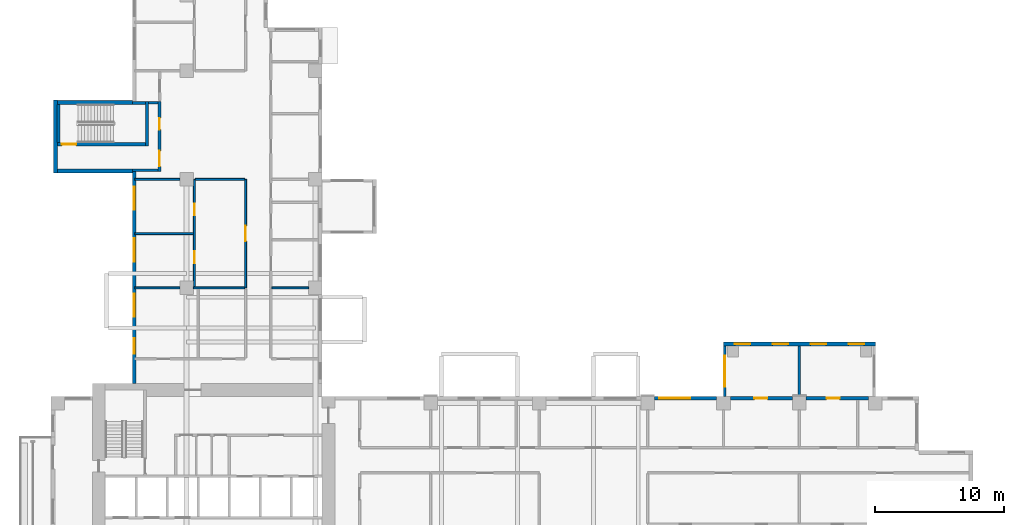
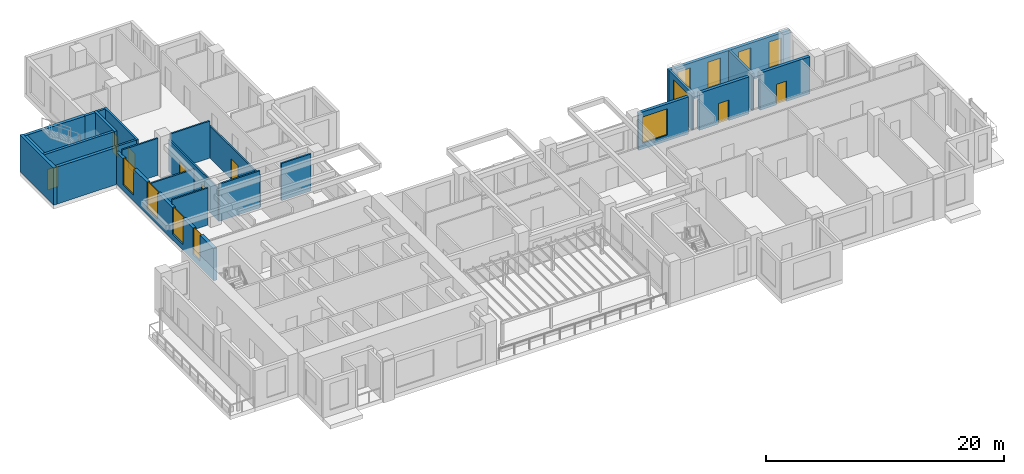
# One storey, part 7 of 15: 25 walls, 10 windows, 8 doors, 18 openings.
"""IFC4 building model written with IfcOpenShell, lengths in metres."""

from ifc_helpers import new_model, si_unit, direction, frame, frame_2d, origin, place, context, subcontext, project, spatial, rectangle, extrude, source, transform, mapped, material, layer, layer_set, type_object, element, fill, save


model = new_model("IFC4")

# Units and contexts
model_context = context("Model", 3, precision=1e-05, world=origin(), true_north=direction((0.0, 1.0)))
body_context = subcontext(model_context, "Body", "Model", "MODEL_VIEW")
ifc_project = project(units=[si_unit("LENGTHUNIT", "METRE"), si_unit("AREAUNIT", "SQUARE_METRE"), si_unit("VOLUMEUNIT", "CUBIC_METRE"), si_unit("PLANEANGLEUNIT", "RADIAN"), si_unit("MASSUNIT", "GRAM", prefix="KILO")], contexts=[model_context])

# Site, building, storey
site_placement = place(None, origin())
site = spatial("IfcSite", under=ifc_project, at=site_placement, CompositionType="ELEMENT")
building_placement = place(site_placement, origin())
building = spatial("IfcBuilding", under=site, at=building_placement, Name="Aurelian Terraces", CompositionType="ELEMENT")
storey_placement = place(building_placement, frame((0.0, 0.0, 145.5)))
storey = spatial("IfcBuildingStorey", under=building, at=storey_placement, Name="L32", CompositionType="ELEMENT", Elevation=145.5)

# Wall, opening, window
ifc_material_1 = material(Name="Concrete fc' 40 MPa", Category="concrete")
ifc_layer_1 = layer(ifc_material_1, 0.2)
ifc_layer_set_1 = layer_set([ifc_layer_1], Name="BOX BEARING WALL 200")
wall_type_1 = type_object("IfcWallType", Name="BOX BEARING WALL 200", PredefinedType="SOLIDWALL", material=ifc_layer_set_1)
shared_shape_1 = source(origin(), body_context, "Body", "SweptSolid", [
    extrude(rectangle(XDim=3.9, YDim=0.2, at=frame_2d((1.95, 0.0))), origin(), (0.0, 0.0, 1.0), 3.8),
])
wall_1_placement = place(storey_placement, frame((52.18, 21.0, 0.0), z_axis=(0.0, 0.0, 1.0), x_axis=(0.0, 1.0, 0.0)))
wall_1 = element("IfcWall", 1, at=wall_1_placement, inside=storey, type_object=wall_type_1, Name="Box return L32 K02.2", PredefinedType="SOLIDWALL", context=body_context, shape_type="MappedRepresentation", body=[
    mapped(shared_shape_1, transform((0.0, 0.0, 0.0), scale=1.0)),
])
shared_shape_2 = source(origin(), body_context, "Body", "SweptSolid", [
    extrude(rectangle(XDim=2.4, YDim=2.7, at=frame_2d((1.2, 1.35))), frame((0.0, 0.11, 0.0), z_axis=(0.0, -1.0, 0.0), x_axis=(1.0, 0.0, 0.0)), (0.0, 0.0, 1.0), 0.22),
])
opening_1_placement = place(wall_1_placement, frame((0.75, 0.0, 0.6)))
opening_1 = element("IfcOpeningElement", 2, at=opening_1_placement, cuts=wall_1, Name="Opening W2427", PredefinedType="OPENING", context=body_context, shape_type="MappedRepresentation", body=[
    mapped(shared_shape_2, transform((0.0, 0.0, 0.0), scale=1.0)),
])
ifc_material_2 = material(Name="Clear glazing", Category="glass")
window_type_1 = type_object("IfcWindowType", Name="W-2400x2700", PartitioningType="SINGLE_PANEL", PredefinedType="WINDOW", material=ifc_material_2)
shared_shape_3 = source(origin(), body_context, "Body", "SweptSolid", [
    extrude(rectangle(XDim=2.4, YDim=2.7, at=frame_2d((1.2, 1.35))), frame((0.0, 0.03, 0.0), z_axis=(0.0, -1.0, 0.0), x_axis=(1.0, 0.0, 0.0)), (0.0, 0.0, 1.0), 0.06),
])
window_1_placement = place(opening_1_placement, origin())
window_1 = element("IfcWindow", 3, at=window_1_placement, inside=storey, type_object=window_type_1, Name="Window L32 K02-S2", OverallHeight=2.7, OverallWidth=2.4, PartitioningType="SINGLE_PANEL", PredefinedType="WINDOW", context=body_context, shape_type="MappedRepresentation", body=[
    mapped(shared_shape_3, transform((0.0, 0.0, 0.0), scale=1.0)),
])
fill(opening_1, window_1)

# Walls
ifc_layer_2 = layer(ifc_material_1, 0.3)
ifc_layer_set_2 = layer_set([ifc_layer_2], Name="STAIR BAY WALL 300")
wall_type_2 = type_object("IfcWallType", Name="STAIR BAY WALL 300", PredefinedType="SOLIDWALL", material=ifc_layer_set_2)
shared_shape_4 = source(origin(), body_context, "Body", "SweptSolid", [
    extrude(rectangle(XDim=6.1, YDim=0.3, at=frame_2d((3.05, 0.0))), origin(), (0.0, 0.0, 1.0), 3.8),
])
for number, where, z_axis, x_axis, name in (
    (4, (6.3, 43.75, 0.0), (0.0, 0.0, 1.0), (-1.0, 0.0, 0.0), "Stair bay wall L32 F17.33"),
    (5, (0.2, 38.45, 0.0), (0.0, 0.0, 1.0), (1.0, 0.0, 0.0), "Stair bay wall L32 F19.35"),
):
    element("IfcWall", number, at=place(storey_placement, frame(where, z_axis=z_axis, x_axis=x_axis)), inside=storey, type_object=wall_type_2, Name=name, PredefinedType="SOLIDWALL", context=body_context, shape_type="MappedRepresentation", body=[
        mapped(shared_shape_4, transform((0.0, 0.0, 0.0), scale=1.0)),
    ])

# Wall, opening, door
ifc_material_3 = material(Name="Terracotta rainscreen cladding", Category="masonry")
ifc_layer_3 = layer(ifc_material_3, 0.3)
ifc_layer_set_3 = layer_set([ifc_layer_3], Name="EW-300")
wall_type_3 = type_object("IfcWallType", Name="EW-300", PredefinedType="STANDARD", material=ifc_layer_set_3)
shared_shape_5 = source(origin(), body_context, "Body", "SweptSolid", [
    extrude(rectangle(XDim=4.83, YDim=0.3, at=frame_2d((2.415, 0.0))), origin(), (0.0, 0.0, 1.0), 3.8),
])
wall_2_placement = place(storey_placement, frame((63.315, 20.85, 0.0), z_axis=(0.0, 0.0, 1.0), x_axis=(-1.0, 0.0, 0.0)))
wall_2 = element("IfcWall", 6, at=wall_2_placement, inside=storey, type_object=wall_type_3, Name="External wall L32 F11.22", PredefinedType="STANDARD", context=body_context, shape_type="MappedRepresentation", body=[
    mapped(shared_shape_5, transform((0.0, 0.0, 0.0), scale=1.0)),
])
shared_shape_6 = source(origin(), body_context, "Body", "SweptSolid", [
    extrude(rectangle(XDim=1.0, YDim=2.1, at=frame_2d((0.5, 1.05))), frame((0.0, 0.16, 0.0), z_axis=(0.0, -1.0, 0.0), x_axis=(1.0, 0.0, 0.0)), (0.0, 0.0, 1.0), 0.32),
])
opening_2_placement = place(wall_2_placement, frame((2.2417, 0.0, 0.0)))
opening_2 = element("IfcOpeningElement", 7, at=opening_2_placement, cuts=wall_2, Name="Opening 832003", PredefinedType="OPENING", context=body_context, shape_type="MappedRepresentation", body=[
    mapped(shared_shape_6, transform((0.0, 0.0, 0.0), scale=1.0)),
])
ifc_material_4 = material(Name="Timber door leaf", Category="wood")
door_type_1 = type_object("IfcDoorType", Name="Room door 1000x2100 left", OperationType="SINGLE_SWING_LEFT", PredefinedType="DOOR", material=ifc_material_4)
shared_shape_7 = source(origin(), body_context, "Body", "SweptSolid", [
    extrude(rectangle(XDim=1.0, YDim=2.1, at=frame_2d((0.5, 1.05))), frame((0.0, 0.025, 0.0), z_axis=(0.0, -1.0, 0.0), x_axis=(1.0, 0.0, 0.0)), (0.0, 0.0, 1.0), 0.05),
])
door_1_placement = place(opening_2_placement, origin())
door_1 = element("IfcDoor", 8, at=door_1_placement, inside=storey, type_object=door_type_1, Name="Door 832003", OperationType="SINGLE_SWING_LEFT", OverallHeight=2.1, OverallWidth=1.0, PredefinedType="DOOR", context=body_context, shape_type="MappedRepresentation", body=[
    mapped(shared_shape_7, transform((0.0, 0.0, 0.0), scale=1.0)),
])
fill(opening_2, door_1)

wall_3_placement = place(storey_placement, frame((57.435, 20.85, 0.0), z_axis=(0.0, 0.0, 1.0), x_axis=(-1.0, 0.0, 0.0)))
wall_3 = element("IfcWall", 9, at=wall_3_placement, inside=storey, type_object=wall_type_3, Name="External wall L32 F11.22", PredefinedType="STANDARD", context=body_context, shape_type="MappedRepresentation", body=[
    mapped(shared_shape_5, transform((0.0, 0.0, 0.0), scale=1.0)),
])
opening_3_placement = place(wall_3_placement, frame((1.9617, 0.0, 0.0)))
opening_3 = element("IfcOpeningElement", 10, at=opening_3_placement, cuts=wall_3, Name="Opening 832004", PredefinedType="OPENING", context=body_context, shape_type="MappedRepresentation", body=[
    mapped(shared_shape_6, transform((0.0, 0.0, 0.0), scale=1.0)),
])
door_2_placement = place(opening_3_placement, origin())
door_2 = element("IfcDoor", 11, at=door_2_placement, inside=storey, type_object=door_type_1, Name="Door 832004", OperationType="SINGLE_SWING_LEFT", OverallHeight=2.1, OverallWidth=1.0, PredefinedType="DOOR", context=body_context, shape_type="MappedRepresentation", body=[
    mapped(shared_shape_7, transform((0.0, 0.0, 0.0), scale=1.0)),
])
fill(opening_3, door_2)

# Wall, opening, window
wall_4_placement = place(storey_placement, frame((51.555, 20.85, 0.0), z_axis=(0.0, 0.0, 1.0), x_axis=(-1.0, 0.0, 0.0)))
wall_4 = element("IfcWall", 12, at=wall_4_placement, inside=storey, type_object=wall_type_3, Name="External wall L32 F11.22", PredefinedType="STANDARD", context=body_context, shape_type="MappedRepresentation", body=[
    mapped(shared_shape_5, transform((0.0, 0.0, 0.0), scale=1.0)),
])
shared_shape_8 = source(origin(), body_context, "Body", "SweptSolid", [
    extrude(rectangle(XDim=2.4, YDim=2.7, at=frame_2d((1.2, 1.35))), frame((0.0, 0.16, 0.0), z_axis=(0.0, -1.0, 0.0), x_axis=(1.0, 0.0, 0.0)), (0.0, 0.0, 1.0), 0.32),
])
opening_4_placement = place(wall_4_placement, frame((2.055, 0.0, 0.6)))
opening_4 = element("IfcOpeningElement", 13, at=opening_4_placement, cuts=wall_4, Name="Opening W2427", PredefinedType="OPENING", context=body_context, shape_type="MappedRepresentation", body=[
    mapped(shared_shape_8, transform((0.0, 0.0, 0.0), scale=1.0)),
])
window_2_placement = place(opening_4_placement, origin())
window_2 = element("IfcWindow", 14, at=window_2_placement, inside=storey, type_object=window_type_1, Name="Window L32 L32-F11-22-4", OverallHeight=2.7, OverallWidth=2.4, PartitioningType="SINGLE_PANEL", PredefinedType="WINDOW", context=body_context, shape_type="MappedRepresentation", body=[
    mapped(shared_shape_3, transform((0.0, 0.0, 0.0), scale=1.0)),
])
fill(opening_4, window_2)

# Wall
shared_shape_9 = source(origin(), body_context, "Body", "SweptSolid", [
    extrude(rectangle(XDim=5.65, YDim=0.3, at=frame_2d((2.825, 0.0))), origin(), (0.0, 0.0, 1.0), 3.8),
])
wall_5_placement = place(storey_placement, frame((0.35, 43.95, 0.0), z_axis=(0.0, 0.0, 1.0), x_axis=(0.0, -1.0, 0.0)))
element("IfcWall", 15, at=wall_5_placement, inside=storey, type_object=wall_type_2, Name="Stair bay wall L32 F18.34", PredefinedType="SOLIDWALL", context=body_context, shape_type="MappedRepresentation", body=[
    mapped(shared_shape_9, transform((0.0, 0.0, 0.0), scale=1.0)),
])

# Wall, openings, windows
ifc_layer_4 = layer(ifc_material_1, 0.3)
ifc_layer_set_4 = layer_set([ifc_layer_4], Name="BOX BEARING WALL 300")
wall_type_4 = type_object("IfcWallType", Name="BOX BEARING WALL 300", PredefinedType="SOLIDWALL", material=ifc_layer_set_4)
shared_shape_10 = source(origin(), body_context, "Body", "SweptSolid", [
    extrude(rectangle(XDim=11.76, YDim=0.3, at=frame_2d((5.88, 0.0))), origin(), (0.0, 0.0, 1.0), 3.8),
])
wall_6_placement = place(storey_placement, frame((63.84, 25.05, 0.0), z_axis=(0.0, 0.0, 1.0), x_axis=(-1.0, 0.0, 0.0)))
wall_6 = element("IfcWall", 16, at=wall_6_placement, inside=storey, type_object=wall_type_4, Name="Box wall L32 K02", PredefinedType="SOLIDWALL", context=body_context, shape_type="MappedRepresentation", body=[
    mapped(shared_shape_10, transform((0.0, 0.0, 0.0), scale=1.0)),
])
shared_shape_11 = source(origin(), body_context, "Body", "SweptSolid", [
    extrude(rectangle(XDim=1.2, YDim=2.7, at=frame_2d((0.6, 1.35))), frame((0.0, 0.16, 0.0), z_axis=(0.0, -1.0, 0.0), x_axis=(1.0, 0.0, 0.0)), (0.0, 0.0, 1.0), 0.32),
])
opening_5_placement = place(wall_6_placement, frame((0.87, 0.0, 0.6)))
opening_5 = element("IfcOpeningElement", 17, at=opening_5_placement, cuts=wall_6, Name="Opening W1227", PredefinedType="OPENING", context=body_context, shape_type="MappedRepresentation", body=[
    mapped(shared_shape_11, transform((0.0, 0.0, 0.0), scale=1.0)),
])
opening_6_placement = place(wall_6_placement, frame((3.81, 0.0, 0.6)))
opening_6 = element("IfcOpeningElement", 18, at=opening_6_placement, cuts=wall_6, Name="Opening W1227", PredefinedType="OPENING", context=body_context, shape_type="MappedRepresentation", body=[
    mapped(shared_shape_11, transform((0.0, 0.0, 0.0), scale=1.0)),
])
opening_7_placement = place(wall_6_placement, frame((6.75, 0.0, 0.6)))
opening_7 = element("IfcOpeningElement", 19, at=opening_7_placement, cuts=wall_6, Name="Opening W1227", PredefinedType="OPENING", context=body_context, shape_type="MappedRepresentation", body=[
    mapped(shared_shape_11, transform((0.0, 0.0, 0.0), scale=1.0)),
])
opening_8_placement = place(wall_6_placement, frame((9.69, 0.0, 0.6)))
opening_8 = element("IfcOpeningElement", 20, at=opening_8_placement, cuts=wall_6, Name="Opening W1227", PredefinedType="OPENING", context=body_context, shape_type="MappedRepresentation", body=[
    mapped(shared_shape_11, transform((0.0, 0.0, 0.0), scale=1.0)),
])
window_type_2 = type_object("IfcWindowType", Name="W-1200x2700", PartitioningType="SINGLE_PANEL", PredefinedType="WINDOW", material=ifc_material_2)
shared_shape_12 = source(origin(), body_context, "Body", "SweptSolid", [
    extrude(rectangle(XDim=1.2, YDim=2.7, at=frame_2d((0.6, 1.35))), frame((0.0, 0.03, 0.0), z_axis=(0.0, -1.0, 0.0), x_axis=(1.0, 0.0, 0.0)), (0.0, 0.0, 1.0), 0.06),
])
window_3_placement = place(opening_5_placement, origin())
window_3 = element("IfcWindow", 21, at=window_3_placement, inside=storey, type_object=window_type_2, Name="Window L32 K02-F1", OverallHeight=2.7, OverallWidth=1.2, PartitioningType="SINGLE_PANEL", PredefinedType="WINDOW", context=body_context, shape_type="MappedRepresentation", body=[
    mapped(shared_shape_12, transform((0.0, 0.0, 0.0), scale=1.0)),
])
fill(opening_5, window_3)
window_4_placement = place(opening_6_placement, origin())
window_4 = element("IfcWindow", 22, at=window_4_placement, inside=storey, type_object=window_type_2, Name="Window L32 K02-F2", OverallHeight=2.7, OverallWidth=1.2, PartitioningType="SINGLE_PANEL", PredefinedType="WINDOW", context=body_context, shape_type="MappedRepresentation", body=[
    mapped(shared_shape_12, transform((0.0, 0.0, 0.0), scale=1.0)),
])
fill(opening_6, window_4)
window_5_placement = place(opening_7_placement, origin())
window_5 = element("IfcWindow", 23, at=window_5_placement, inside=storey, type_object=window_type_2, Name="Window L32 K02-F3", OverallHeight=2.7, OverallWidth=1.2, PartitioningType="SINGLE_PANEL", PredefinedType="WINDOW", context=body_context, shape_type="MappedRepresentation", body=[
    mapped(shared_shape_12, transform((0.0, 0.0, 0.0), scale=1.0)),
])
fill(opening_7, window_5)
window_6_placement = place(opening_8_placement, origin())
window_6 = element("IfcWindow", 24, at=window_6_placement, inside=storey, type_object=window_type_2, Name="Window L32 K02-F4", OverallHeight=2.7, OverallWidth=1.2, PartitioningType="SINGLE_PANEL", PredefinedType="WINDOW", context=body_context, shape_type="MappedRepresentation", body=[
    mapped(shared_shape_12, transform((0.0, 0.0, 0.0), scale=1.0)),
])
fill(opening_8, window_6)

# Wall
shared_shape_13 = source(origin(), body_context, "Body", "SweptSolid", [
    extrude(rectangle(XDim=3.9, YDim=0.2, at=frame_2d((1.95, 0.0))), origin(), (0.0, 0.0, 1.0), 3.8),
])
wall_7_placement = place(storey_placement, frame((57.96, 21.0, 0.0), z_axis=(0.0, 0.0, 1.0), x_axis=(0.0, 1.0, 0.0)))
element("IfcWall", 25, at=wall_7_placement, inside=storey, type_object=wall_type_1, Name="Box partition L32 K02", PredefinedType="SOLIDWALL", context=body_context, shape_type="MappedRepresentation", body=[
    mapped(shared_shape_13, transform((0.0, 0.0, 0.0), scale=1.0)),
])

# Wall, openings, windows
shared_shape_14 = source(origin(), body_context, "Body", "SweptSolid", [
    extrude(rectangle(XDim=16.4, YDim=0.3, at=frame_2d((8.2, 0.0))), origin(), (0.0, 0.0, 1.0), 3.3),
])
wall_8_placement = place(storey_placement, frame((6.45, 38.4, 0.0), z_axis=(0.0, 0.0, 1.0), x_axis=(0.0, -1.0, 0.0)))
wall_8 = element("IfcWall", 26, at=wall_8_placement, inside=storey, type_object=wall_type_3, Name="External wall L32 F20.36", PredefinedType="STANDARD", context=body_context, shape_type="MappedRepresentation", body=[
    mapped(shared_shape_14, transform((0.0, 0.0, 0.0), scale=1.0)),
])
shared_shape_15 = source(origin(), body_context, "Body", "SweptSolid", [
    extrude(rectangle(XDim=1.8, YDim=2.7, at=frame_2d((0.9, 1.35))), frame((0.0, 0.16, 0.0), z_axis=(0.0, -1.0, 0.0), x_axis=(1.0, 0.0, 0.0)), (0.0, 0.0, 1.0), 0.32),
])
opening_9_placement = place(wall_8_placement, frame((1.15, 0.0, 0.6)))
opening_9 = element("IfcOpeningElement", 27, at=opening_9_placement, cuts=wall_8, Name="Opening W1827", PredefinedType="OPENING", context=body_context, shape_type="MappedRepresentation", body=[
    mapped(shared_shape_15, transform((0.0, 0.0, 0.0), scale=1.0)),
])
opening_10_placement = place(wall_8_placement, frame((5.1625, 0.0, 0.6)))
opening_10 = element("IfcOpeningElement", 28, at=opening_10_placement, cuts=wall_8, Name="Opening W1827", PredefinedType="OPENING", context=body_context, shape_type="MappedRepresentation", body=[
    mapped(shared_shape_15, transform((0.0, 0.0, 0.0), scale=1.0)),
])
opening_11_placement = place(wall_8_placement, frame((9.4375, 0.0, 0.6)))
opening_11 = element("IfcOpeningElement", 29, at=opening_11_placement, cuts=wall_8, Name="Opening W1827", PredefinedType="OPENING", context=body_context, shape_type="MappedRepresentation", body=[
    mapped(shared_shape_15, transform((0.0, 0.0, 0.0), scale=1.0)),
])
opening_12_placement = place(wall_8_placement, frame((12.9125, 0.0, 0.6)))
opening_12 = element("IfcOpeningElement", 30, at=opening_12_placement, cuts=wall_8, Name="Opening W1227", PredefinedType="OPENING", context=body_context, shape_type="MappedRepresentation", body=[
    mapped(shared_shape_11, transform((0.0, 0.0, 0.0), scale=1.0)),
])
window_type_3 = type_object("IfcWindowType", Name="W-1800x2700", PartitioningType="SINGLE_PANEL", PredefinedType="WINDOW", material=ifc_material_2)
shared_shape_16 = source(origin(), body_context, "Body", "SweptSolid", [
    extrude(rectangle(XDim=1.8, YDim=2.7, at=frame_2d((0.9, 1.35))), frame((0.0, 0.03, 0.0), z_axis=(0.0, -1.0, 0.0), x_axis=(1.0, 0.0, 0.0)), (0.0, 0.0, 1.0), 0.06),
])
window_7_placement = place(opening_9_placement, origin())
window_7 = element("IfcWindow", 31, at=window_7_placement, inside=storey, type_object=window_type_3, Name="Window L32 L32-F20-36-0", OverallHeight=2.7, OverallWidth=1.8, PartitioningType="SINGLE_PANEL", PredefinedType="WINDOW", context=body_context, shape_type="MappedRepresentation", body=[
    mapped(shared_shape_16, transform((0.0, 0.0, 0.0), scale=1.0)),
])
fill(opening_9, window_7)
window_8_placement = place(opening_10_placement, origin())
window_8 = element("IfcWindow", 32, at=window_8_placement, inside=storey, type_object=window_type_3, Name="Window L32 L32-F20-36-1", OverallHeight=2.7, OverallWidth=1.8, PartitioningType="SINGLE_PANEL", PredefinedType="WINDOW", context=body_context, shape_type="MappedRepresentation", body=[
    mapped(shared_shape_16, transform((0.0, 0.0, 0.0), scale=1.0)),
])
fill(opening_10, window_8)
window_9_placement = place(opening_11_placement, origin())
window_9 = element("IfcWindow", 33, at=window_9_placement, inside=storey, type_object=window_type_3, Name="Window L32 L32-F20-36-2", OverallHeight=2.7, OverallWidth=1.8, PartitioningType="SINGLE_PANEL", PredefinedType="WINDOW", context=body_context, shape_type="MappedRepresentation", body=[
    mapped(shared_shape_16, transform((0.0, 0.0, 0.0), scale=1.0)),
])
fill(opening_11, window_9)
window_10_placement = place(opening_12_placement, origin())
window_10 = element("IfcWindow", 34, at=window_10_placement, inside=storey, type_object=window_type_2, Name="Window L32 L32-F20-36-3", OverallHeight=2.7, OverallWidth=1.2, PartitioningType="SINGLE_PANEL", PredefinedType="WINDOW", context=body_context, shape_type="MappedRepresentation", body=[
    mapped(shared_shape_12, transform((0.0, 0.0, 0.0), scale=1.0)),
])
fill(opening_12, window_10)

# Wall, opening, door
ifc_layer_5 = layer(ifc_material_1, 0.25)
ifc_layer_set_5 = layer_set([ifc_layer_5], Name="Stair enclosure wall 250")
wall_type_5 = type_object("IfcWallType", Name="Stair enclosure wall 250", PredefinedType="SOLIDWALL", material=ifc_layer_set_5)
shared_shape_17 = source(origin(), body_context, "Body", "SweptSolid", [
    extrude(rectangle(XDim=7.0, YDim=0.25, at=frame_2d((3.5, 0.0))), origin(), (0.0, 0.0, 1.0), 3.8),
])
wall_9_placement = place(storey_placement, frame((0.3, 40.525, 0.0), z_axis=(0.0, 0.0, 1.0), x_axis=(1.0, 0.0, 0.0)))
wall_9 = element("IfcWall", 35, at=wall_9_placement, inside=storey, type_object=wall_type_5, Name="L32 core wall ST-S3-W", PredefinedType="SOLIDWALL", context=body_context, shape_type="MappedRepresentation", body=[
    mapped(shared_shape_17, transform((0.0, 0.0, 0.0), scale=1.0)),
])
shared_shape_18 = source(origin(), body_context, "Body", "SweptSolid", [
    extrude(rectangle(XDim=1.1, YDim=2.1, at=frame_2d((0.55, 1.05))), frame((0.0, 0.135, 0.0), z_axis=(0.0, -1.0, 0.0), x_axis=(1.0, 0.0, 0.0)), (0.0, 0.0, 1.0), 0.27),
])
opening_13_placement = place(wall_9_placement, frame((0.55, 0.0, 0.0)))
opening_13 = element("IfcOpeningElement", 36, at=opening_13_placement, cuts=wall_9, Name="Opening 63518", PredefinedType="OPENING", context=body_context, shape_type="MappedRepresentation", body=[
    mapped(shared_shape_18, transform((0.0, 0.0, 0.0), scale=1.0)),
])
ifc_material_5 = material(Name="Steel door leaf", Category="steel")
door_type_2 = type_object("IfcDoorType", Name="Core fire door 1100x2100 right", OperationType="SINGLE_SWING_RIGHT", PredefinedType="DOOR", material=ifc_material_5)
shared_shape_19 = source(origin(), body_context, "Body", "SweptSolid", [
    extrude(rectangle(XDim=1.1, YDim=2.1, at=frame_2d((0.55, 1.05))), frame((0.0, 0.025, 0.0), z_axis=(0.0, -1.0, 0.0), x_axis=(1.0, 0.0, 0.0)), (0.0, 0.0, 1.0), 0.05),
])
door_3_placement = place(opening_13_placement, origin())
door_3 = element("IfcDoor", 37, at=door_3_placement, inside=storey, type_object=door_type_2, Name="Stair door 63518", OperationType="SINGLE_SWING_RIGHT", OverallHeight=2.1, OverallWidth=1.1, PredefinedType="DOOR", context=body_context, shape_type="MappedRepresentation", body=[
    mapped(shared_shape_19, transform((0.0, 0.0, 0.0), scale=1.0)),
])
fill(opening_13, door_3)

# Walls
shared_shape_20 = source(origin(), body_context, "Body", "SweptSolid", [
    extrude(rectangle(XDim=3.45, YDim=0.25, at=frame_2d((1.725, 0.0))), origin(), (0.0, 0.0, 1.0), 3.8),
])
wall_10_placement = place(storey_placement, frame((7.425, 40.4, 0.0), z_axis=(0.0, 0.0, 1.0), x_axis=(0.0, 1.0, 0.0)))
element("IfcWall", 38, at=wall_10_placement, inside=storey, type_object=wall_type_5, Name="L32 core wall ST-S3-N", PredefinedType="SOLIDWALL", context=body_context, shape_type="MappedRepresentation", body=[
    mapped(shared_shape_20, transform((0.0, 0.0, 0.0), scale=1.0)),
])
shared_shape_21 = source(origin(), body_context, "Body", "SweptSolid", [
    extrude(rectangle(XDim=2.95, YDim=0.25, at=frame_2d((1.475, 0.0))), origin(), (0.0, 0.0, 1.0), 3.8),
])
wall_11_placement = place(storey_placement, frame((0.575, 40.65, 0.0), z_axis=(0.0, 0.0, 1.0), x_axis=(0.0, 1.0, 0.0)))
element("IfcWall", 39, at=wall_11_placement, inside=storey, type_object=wall_type_5, Name="L32 core wall ST-S3-SS", PredefinedType="SOLIDWALL", context=body_context, shape_type="MappedRepresentation", body=[
    mapped(shared_shape_21, transform((0.0, 0.0, 0.0), scale=1.0)),
])

# Wall, openings, doors
ifc_material_6 = material(Name="Gypsum board on steel studs", Category="steel")
ifc_layer_6 = layer(ifc_material_6, 0.2)
ifc_layer_set_6 = layer_set([ifc_layer_6], Name="Core partition 200")
wall_type_6 = type_object("IfcWallType", Name="Core partition 200", PredefinedType="PARTITIONING", material=ifc_layer_set_6)
shared_shape_22 = source(origin(), body_context, "Body", "SweptSolid", [
    extrude(rectangle(XDim=5.45, YDim=0.2, at=frame_2d((2.725, 0.0))), origin(), (0.0, 0.0, 1.0), 3.8),
])
wall_12_placement = place(storey_placement, frame((8.4, 38.4, 0.0), z_axis=(0.0, 0.0, 1.0), x_axis=(0.0, 1.0, 0.0)))
wall_12 = element("IfcWall", 40, at=wall_12_placement, inside=storey, type_object=wall_type_6, Name="L32 core wall ST-S3-BN", PredefinedType="PARTITIONING", context=body_context, shape_type="MappedRepresentation", body=[
    mapped(shared_shape_22, transform((0.0, 0.0, 0.0), scale=1.0)),
])
shared_shape_23 = source(origin(), body_context, "Body", "SweptSolid", [
    extrude(rectangle(XDim=1.2, YDim=2.1, at=frame_2d((0.6, 1.05))), frame((0.0, 0.11, 0.0), z_axis=(0.0, -1.0, 0.0), x_axis=(1.0, 0.0, 0.0)), (0.0, 0.0, 1.0), 0.22),
])
opening_14_placement = place(wall_12_placement, frame((0.4, 0.0, 0.0)))
opening_14 = element("IfcOpeningElement", 41, at=opening_14_placement, cuts=wall_12, Name="Opening 63519", PredefinedType="OPENING", context=body_context, shape_type="MappedRepresentation", body=[
    mapped(shared_shape_23, transform((0.0, 0.0, 0.0), scale=1.0)),
])
shared_shape_24 = source(origin(), body_context, "Body", "SweptSolid", [
    extrude(rectangle(XDim=0.9, YDim=2.1, at=frame_2d((0.45, 1.05))), frame((0.0, 0.11, 0.0), z_axis=(0.0, -1.0, 0.0), x_axis=(1.0, 0.0, 0.0)), (0.0, 0.0, 1.0), 0.22),
])
opening_15_placement = place(wall_12_placement, frame((3.25, 0.0, 0.0)))
opening_15 = element("IfcOpeningElement", 42, at=opening_15_placement, cuts=wall_12, Name="Opening 63520", PredefinedType="OPENING", context=body_context, shape_type="MappedRepresentation", body=[
    mapped(shared_shape_24, transform((0.0, 0.0, 0.0), scale=1.0)),
])
door_type_3 = type_object("IfcDoorType", Name="Core riser door 900x2100 right", OperationType="SINGLE_SWING_RIGHT", PredefinedType="DOOR", material=ifc_material_5)
shared_shape_25 = source(origin(), body_context, "Body", "SweptSolid", [
    extrude(rectangle(XDim=0.9, YDim=2.1, at=frame_2d((0.45, 1.05))), frame((0.0, 0.025, 0.0), z_axis=(0.0, -1.0, 0.0), x_axis=(1.0, 0.0, 0.0)), (0.0, 0.0, 1.0), 0.05),
])
door_4_placement = place(opening_15_placement, origin())
door_4 = element("IfcDoor", 43, at=door_4_placement, inside=storey, type_object=door_type_3, Name="Riser door 63520", OperationType="SINGLE_SWING_RIGHT", OverallHeight=2.1, OverallWidth=0.9, PredefinedType="DOOR", context=body_context, shape_type="MappedRepresentation", body=[
    mapped(shared_shape_25, transform((0.0, 0.0, 0.0), scale=1.0)),
])
fill(opening_15, door_4)
door_type_4 = type_object("IfcDoorType", Name="Core fire door 1200x2100", OperationType="SINGLE_SWING_LEFT", PredefinedType="DOOR", material=ifc_material_5)
shared_shape_26 = source(origin(), body_context, "Body", "SweptSolid", [
    extrude(rectangle(XDim=1.2, YDim=2.1, at=frame_2d((0.6, 1.05))), frame((0.0, 0.025, 0.0), z_axis=(0.0, -1.0, 0.0), x_axis=(1.0, 0.0, 0.0)), (0.0, 0.0, 1.0), 0.05),
])
door_5_placement = place(opening_14_placement, origin())
door_5 = element("IfcDoor", 44, at=door_5_placement, inside=storey, type_object=door_type_4, Name="Vestibule door 63519", OperationType="SINGLE_SWING_LEFT", OverallHeight=2.1, OverallWidth=1.2, PredefinedType="DOOR", context=body_context, shape_type="MappedRepresentation", body=[
    mapped(shared_shape_26, transform((0.0, 0.0, 0.0), scale=1.0)),
])
fill(opening_14, door_5)

# Walls
shared_shape_27 = source(origin(), body_context, "Body", "SweptSolid", [
    extrude(rectangle(XDim=0.75, YDim=0.2, at=frame_2d((0.375, 0.0))), origin(), (0.0, 0.0, 1.0), 3.8),
])
wall_13_placement = place(storey_placement, frame((7.55, 43.75, 0.0), z_axis=(0.0, 0.0, 1.0), x_axis=(1.0, 0.0, 0.0)))
element("IfcWall", 45, at=wall_13_placement, inside=storey, type_object=wall_type_6, Name="L32 core wall ST-S3-RE", PredefinedType="PARTITIONING", context=body_context, shape_type="MappedRepresentation", body=[
    mapped(shared_shape_27, transform((0.0, 0.0, 0.0), scale=1.0)),
])
shared_shape_28 = source(origin(), body_context, "Body", "SweptSolid", [
    extrude(rectangle(XDim=1.0, YDim=0.25, at=frame_2d((0.5, 0.0))), origin(), (0.0, 0.0, 1.0), 3.8),
])
wall_14_placement = place(storey_placement, frame((6.3, 43.725, 0.0), z_axis=(0.0, 0.0, 1.0), x_axis=(1.0, 0.0, 0.0)))
element("IfcWall", 46, at=wall_14_placement, inside=storey, type_object=wall_type_5, Name="L32 core wall ST-S3-E", PredefinedType="SOLIDWALL", context=body_context, shape_type="MappedRepresentation", body=[
    mapped(shared_shape_28, transform((0.0, 0.0, 0.0), scale=1.0)),
])
shared_shape_29 = source(origin(), body_context, "Body", "SweptSolid", [
    extrude(rectangle(XDim=2.0, YDim=0.2, at=frame_2d((1.0, 0.0))), origin(), (0.0, 0.0, 1.0), 3.8),
])
wall_15_placement = place(storey_placement, frame((6.3, 38.5, 0.0), z_axis=(0.0, 0.0, 1.0), x_axis=(1.0, 0.0, 0.0)))
element("IfcWall", 47, at=wall_15_placement, inside=storey, type_object=wall_type_6, Name="L32 core wall ST-S3-VW", PredefinedType="PARTITIONING", context=body_context, shape_type="MappedRepresentation", body=[
    mapped(shared_shape_29, transform((0.0, 0.0, 0.0), scale=1.0)),
])

# Wall, openings, doors
ifc_layer_7 = layer(ifc_material_6, 0.15)
ifc_layer_set_7 = layer_set([ifc_layer_7], Name="Partition 150")
wall_type_7 = type_object("IfcWallType", Name="Partition 150", PredefinedType="PARTITIONING", material=ifc_layer_set_7)
shared_shape_30 = source(origin(), body_context, "Body", "SweptSolid", [
    extrude(rectangle(XDim=8.4, YDim=0.15, at=frame_2d((4.2, 0.0))), origin(), (0.0, 0.0, 1.0), 3.3),
])
wall_16_placement = place(storey_placement, frame((11.1, 29.4, 0.0), z_axis=(0.0, 0.0, 1.0), x_axis=(0.0, 1.0, 0.0)))
wall_16 = element("IfcWall", 48, at=wall_16_placement, inside=storey, type_object=wall_type_7, Name="Partition", PredefinedType="PARTITIONING", context=body_context, shape_type="MappedRepresentation", body=[
    mapped(shared_shape_30, transform((0.0, 0.0, 0.0), scale=1.0)),
])
shared_shape_31 = source(origin(), body_context, "Body", "SweptSolid", [
    extrude(rectangle(XDim=0.9, YDim=2.1, at=frame_2d((0.45, 1.05))), frame((0.0, 0.085, 0.0), z_axis=(0.0, -1.0, 0.0), x_axis=(1.0, 0.0, 0.0)), (0.0, 0.0, 1.0), 0.17),
])
opening_16_placement = place(wall_16_placement, frame((1.925, 0.0, 0.0)))
opening_16 = element("IfcOpeningElement", 49, at=opening_16_placement, cuts=wall_16, Name="Opening 732025", PredefinedType="OPENING", context=body_context, shape_type="MappedRepresentation", body=[
    mapped(shared_shape_31, transform((0.0, 0.0, 0.0), scale=1.0)),
])
opening_17_placement = place(wall_16_placement, frame((5.625, 0.0, 0.0)))
opening_17 = element("IfcOpeningElement", 50, at=opening_17_placement, cuts=wall_16, Name="Opening 732026", PredefinedType="OPENING", context=body_context, shape_type="MappedRepresentation", body=[
    mapped(shared_shape_31, transform((0.0, 0.0, 0.0), scale=1.0)),
])
door_type_5 = type_object("IfcDoorType", Name="Room door 900x2100 left", OperationType="SINGLE_SWING_LEFT", PredefinedType="DOOR", material=ifc_material_4)
door_6_placement = place(opening_16_placement, origin())
door_6 = element("IfcDoor", 51, at=door_6_placement, inside=storey, type_object=door_type_5, Name="Door 732025", OperationType="SINGLE_SWING_LEFT", OverallHeight=2.1, OverallWidth=0.9, PredefinedType="DOOR", context=body_context, shape_type="MappedRepresentation", body=[
    mapped(shared_shape_25, transform((0.0, 0.0, 0.0), scale=1.0)),
])
fill(opening_16, door_6)
door_type_6 = type_object("IfcDoorType", Name="Room door 900x2100 right", OperationType="SINGLE_SWING_RIGHT", PredefinedType="DOOR", material=ifc_material_4)
door_7_placement = place(opening_17_placement, origin())
door_7 = element("IfcDoor", 52, at=door_7_placement, inside=storey, type_object=door_type_6, Name="Door 732026", OperationType="SINGLE_SWING_RIGHT", OverallHeight=2.1, OverallWidth=0.9, PredefinedType="DOOR", context=body_context, shape_type="MappedRepresentation", body=[
    mapped(shared_shape_25, transform((0.0, 0.0, 0.0), scale=1.0)),
])
fill(opening_17, door_7)

# Wall, opening, door
ifc_layer_8 = layer(ifc_material_6, 0.15)
ifc_layer_set_8 = layer_set([ifc_layer_8], Name="Fire partition 150")
wall_type_8 = type_object("IfcWallType", Name="Fire partition 150", PredefinedType="PARTITIONING", material=ifc_layer_set_8)
wall_17_placement = place(storey_placement, frame((15.075, 29.4, 0.0), z_axis=(0.0, 0.0, 1.0), x_axis=(0.0, 1.0, 0.0)))
wall_17 = element("IfcWall", 53, at=wall_17_placement, inside=storey, type_object=wall_type_8, Name="Corridor wall", PredefinedType="PARTITIONING", context=body_context, shape_type="MappedRepresentation", body=[
    mapped(shared_shape_30, transform((0.0, 0.0, 0.0), scale=1.0)),
])
shared_shape_32 = source(origin(), body_context, "Body", "SweptSolid", [
    extrude(rectangle(XDim=1.2, YDim=2.1, at=frame_2d((0.6, 1.05))), frame((0.0, 0.085, 0.0), z_axis=(0.0, -1.0, 0.0), x_axis=(1.0, 0.0, 0.0)), (0.0, 0.0, 1.0), 0.17),
])
opening_18_placement = place(wall_17_placement, frame((3.6, 0.0, 0.0)))
opening_18 = element("IfcOpeningElement", 54, at=opening_18_placement, cuts=wall_17, Name="Opening 732024", PredefinedType="OPENING", context=body_context, shape_type="MappedRepresentation", body=[
    mapped(shared_shape_32, transform((0.0, 0.0, 0.0), scale=1.0)),
])
door_type_7 = type_object("IfcDoorType", Name="Room door 1200x2100 right", OperationType="SINGLE_SWING_RIGHT", PredefinedType="DOOR", material=ifc_material_4)
door_8_placement = place(opening_18_placement, origin())
door_8 = element("IfcDoor", 55, at=door_8_placement, inside=storey, type_object=door_type_7, Name="Door 732024", OperationType="SINGLE_SWING_RIGHT", OverallHeight=2.1, OverallWidth=1.2, PredefinedType="DOOR", context=body_context, shape_type="MappedRepresentation", body=[
    mapped(shared_shape_26, transform((0.0, 0.0, 0.0), scale=1.0)),
])
fill(opening_18, door_8)

# Walls
shared_shape_33 = source(origin(), body_context, "Body", "SweptSolid", [
    extrude(rectangle(XDim=3.976, YDim=0.15, at=frame_2d((1.988, 0.0))), origin(), (0.0, 0.0, 1.0), 3.8),
])
wall_18_placement = place(storey_placement, frame((15.0, 29.4, 0.0), z_axis=(0.0, 0.0, 1.0), x_axis=(-1.0, 0.0, 0.0)))
element("IfcWall", 56, at=wall_18_placement, inside=storey, type_object=wall_type_7, Name="Partition", PredefinedType="PARTITIONING", context=body_context, shape_type="MappedRepresentation", body=[
    mapped(shared_shape_33, transform((0.0, 0.0, 0.0), scale=1.0)),
])
shared_shape_34 = source(origin(), body_context, "Body", "SweptSolid", [
    extrude(rectangle(XDim=3.825, YDim=0.15, at=frame_2d((1.9125, 0.0))), origin(), (0.0, 0.0, 1.0), 3.8),
])
wall_19_placement = place(storey_placement, frame((15.0, 37.8, 0.0), z_axis=(0.0, 0.0, 1.0), x_axis=(-1.0, 0.0, 0.0)))
element("IfcWall", 57, at=wall_19_placement, inside=storey, type_object=wall_type_7, Name="Partition", PredefinedType="PARTITIONING", context=body_context, shape_type="MappedRepresentation", body=[
    mapped(shared_shape_34, transform((0.0, 0.0, 0.0), scale=1.0)),
])
shared_shape_35 = source(origin(), body_context, "Body", "SweptSolid", [
    extrude(rectangle(XDim=2.851, YDim=0.15, at=frame_2d((1.4255, 0.0))), origin(), (0.0, 0.0, 1.0), 3.8),
])
wall_20_placement = place(storey_placement, frame((19.951, 29.4, 0.0), z_axis=(0.0, 0.0, 1.0), x_axis=(-1.0, 0.0, 0.0)))
element("IfcWall", 58, at=wall_20_placement, inside=storey, type_object=wall_type_7, Name="Partition", PredefinedType="PARTITIONING", context=body_context, shape_type="MappedRepresentation", body=[
    mapped(shared_shape_35, transform((0.0, 0.0, 0.0), scale=1.0)),
])
shared_shape_36 = source(origin(), body_context, "Body", "SweptSolid", [
    extrude(rectangle(XDim=3.471, YDim=0.15, at=frame_2d((1.7355, 0.0))), origin(), (0.0, 0.0, 1.0), 3.8),
])
for number, where, z_axis, x_axis, name in (
    (59, (9.976, 29.4, 0.0), (0.0, 0.0, 1.0), (-1.0, 0.0, 0.0), "Partition"),
    (60, (9.976, 37.8, 0.0), (0.0, 0.0, 1.0), (-1.0, 0.0, 0.0), "Partition"),
):
    element("IfcWall", number, at=place(storey_placement, frame(where, z_axis=z_axis, x_axis=x_axis)), inside=storey, type_object=wall_type_7, Name=name, PredefinedType="PARTITIONING", context=body_context, shape_type="MappedRepresentation", body=[
        mapped(shared_shape_36, transform((0.0, 0.0, 0.0), scale=1.0)),
    ])
shared_shape_37 = source(origin(), body_context, "Body", "SweptSolid", [
    extrude(rectangle(XDim=4.52, YDim=0.15, at=frame_2d((2.26, 0.0))), origin(), (0.0, 0.0, 1.0), 2.8),
])
wall_21_placement = place(storey_placement, frame((11.025, 33.6, 0.0), z_axis=(0.0, 0.0, 1.0), x_axis=(-1.0, 0.0, 0.0)))
element("IfcWall", 61, at=wall_21_placement, inside=storey, type_object=wall_type_7, Name="Partition", PredefinedType="PARTITIONING", context=body_context, shape_type="MappedRepresentation", body=[
    mapped(shared_shape_37, transform((0.0, 0.0, 0.0), scale=1.0)),
])

save(model, "model.ifc")
